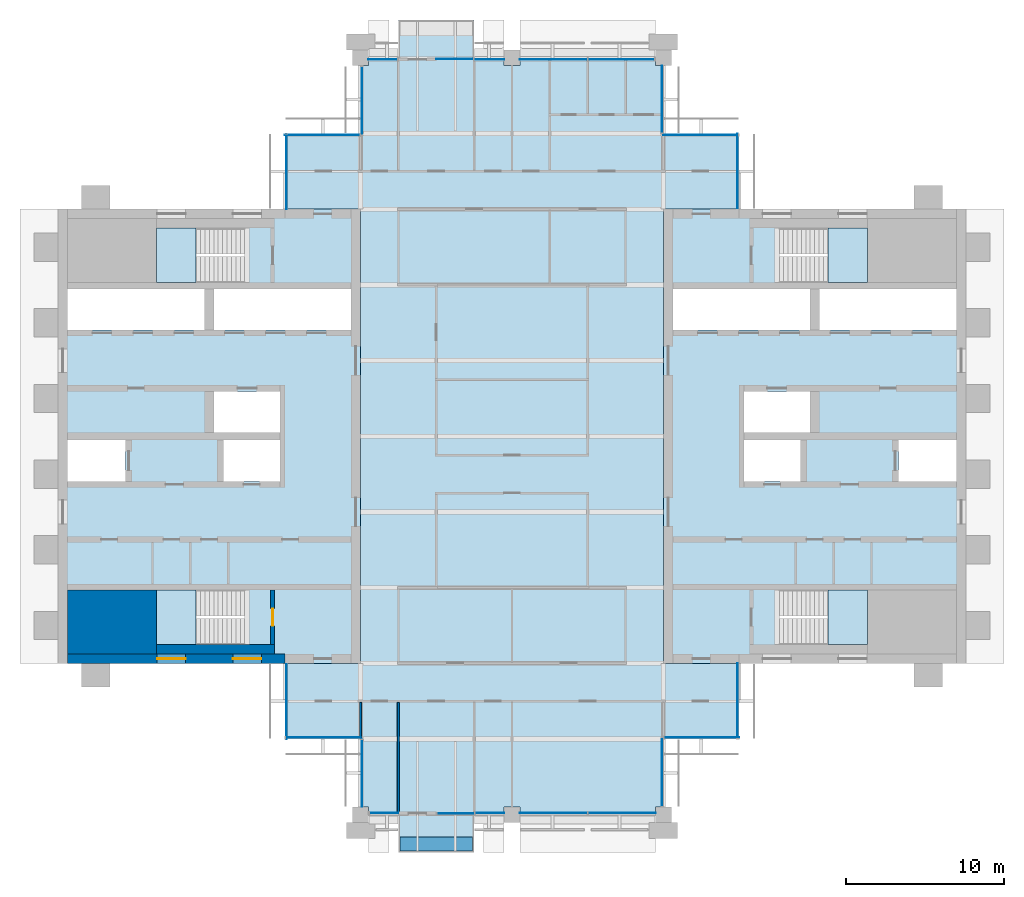
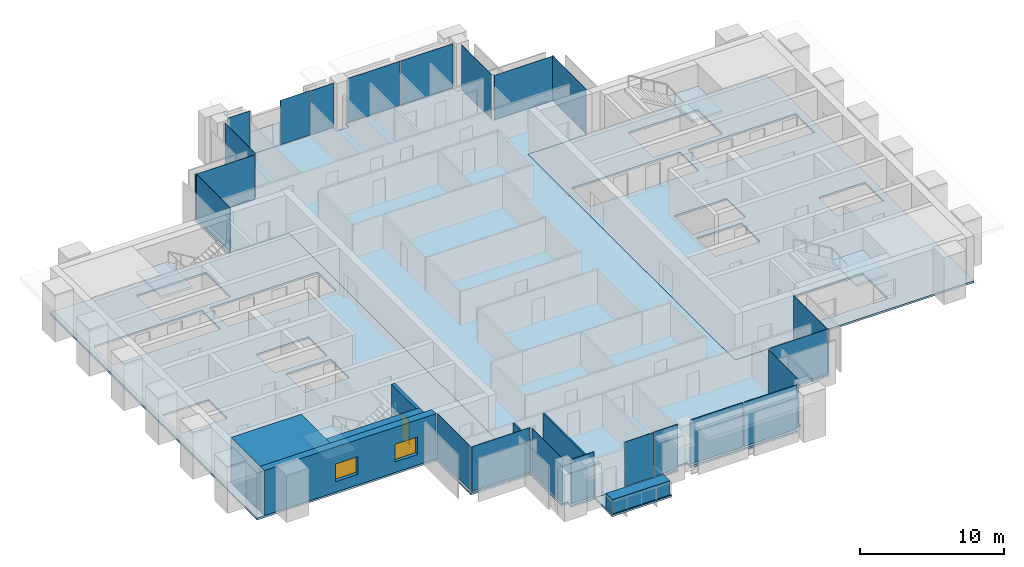
# One storey, part 7 of 13: 22 plates, 9 slabs, 7 walls, 2 windows, 1 door, 3 openings, 22 elements without a shape of their own.
"""IFC4 building model written with IfcOpenShell, lengths in metres."""

from ifc_helpers import new_model, si_unit, direction, frame, frame_2d, origin, origin_2d, place, context, subcontext, project, spatial, polyline, rectangle, outline, extrude, material, layer, layer_set, type_object, element, fill, aggregate, save


model = new_model("IFC4")

# Units and contexts
model_context = context("Model", 3, precision=1e-05, world=origin(), true_north=direction((0.0, 1.0)))
body_context = subcontext(model_context, "Body", "Model", "MODEL_VIEW")
ifc_project = project(units=[si_unit("LENGTHUNIT", "METRE"), si_unit("AREAUNIT", "SQUARE_METRE"), si_unit("VOLUMEUNIT", "CUBIC_METRE"), si_unit("PLANEANGLEUNIT", "RADIAN"), si_unit("MASSUNIT", "GRAM", prefix="KILO")], contexts=[model_context])

# Site, building, storey
site_placement = place(None, origin())
site = spatial("IfcSite", under=ifc_project, at=site_placement, CompositionType="ELEMENT")
building_placement = place(site_placement, origin())
building = spatial("IfcBuilding", under=site, at=building_placement, Name="Baori Bourse Tower", CompositionType="ELEMENT")
storey_placement = place(building_placement, frame((0.0, 0.0, 314.300048828125)))
storey = spatial("IfcBuildingStorey", under=building, at=storey_placement, Name="L69", CompositionType="ELEMENT", Elevation=314.300048828125)

# Slabs
ifc_material_1 = material(Name="Concrete f'c 40 MPa", Category="concrete")
ifc_layer_1 = layer(ifc_material_1, 0.159912109375)
ifc_layer_set_1 = layer_set([ifc_layer_1], Name="BL2 Balcony slab 160")
slab_type_1 = type_object("IfcSlabType", Name="BL2 Balcony slab 160", PredefinedType="FLOOR", material=ifc_layer_set_1)
slab_1_placement = place(storey_placement, frame((0.0, 0.0, -0.16015625)))
element("IfcSlab", 1, at=slab_1_placement, inside=storey, type_object=slab_type_1, Name="Balcony slab L69 S", PredefinedType="FLOOR", context=body_context, shape_type="SweptSolid", body=[
    extrude(outline(polyline([(21.60009765625, 0.0), (21.60009765625, -2.39990234375), (26.39990234375, -2.39990234375), (26.39990234375, 0.0), (21.60009765625, 0.0)])), origin(), (0.0, 0.0, 1.0), 0.16015625),
])
slab_2_placement = place(storey_placement, frame((0.0, 0.0, -0.16015625)))
element("IfcSlab", 2, at=slab_2_placement, inside=storey, type_object=slab_type_1, Name="Balcony slab L69 N", PredefinedType="FLOOR", context=body_context, shape_type="SweptSolid", body=[
    extrude(outline(polyline([(21.60009765625, 48.0), (26.39990234375, 48.0), (26.39990234375, 50.39990234375), (21.60009765625, 50.39990234375), (21.60009765625, 48.0)])), origin(), (0.0, 0.0, 1.0), 0.16015625),
])

# Curtain wall, plate
ifc_material_2 = material(Name="Pale anodised aluminium", Category="aluminium")
curtain_wall_type_1 = type_object("IfcCurtainWallType", Name="CW2 Curtain wall", PredefinedType="NOTDEFINED", material=ifc_material_2)
curtain_wall_1_placement = place(storey_placement, origin())
curtain_wall_1 = element("IfcCurtainWall", 3, at=curtain_wall_1_placement, inside=storey, type_object=curtain_wall_type_1, Name="Curtain wall CW2 L69 1", PredefinedType="NOTDEFINED")
ifc_material_3 = material(Name="Clear glass", Category="glass")
ifc_layer_2 = layer(ifc_material_3, 0.030029296875)
ifc_layer_set_2 = layer_set([ifc_layer_2], Name="CW2 Curtain wall panel")
plate_type_1 = type_object("IfcPlateType", Name="CW2 Curtain wall panel", PredefinedType="CURTAIN_PANEL", material=ifc_layer_set_2)
plate_1_placement = place(storey_placement, frame((43.110107421875, 40.827392578125, 0.06982421875), z_axis=(0.0, 0.0, 1.0), x_axis=(0.0, 1.0, 0.0)))
plate_1 = element("IfcPlate", 4, at=plate_1_placement, type_object=plate_type_1, Name="Curtain wall CW2 panel", PredefinedType="CURTAIN_PANEL", context=body_context, shape_type="SweptSolid", body=[
    extrude(rectangle(XDim=4.7451171875, YDim=0.030029296875, at=origin_2d()), origin(), (0.0, 0.0, 1.0), 3.77001953125),
])
aggregate(curtain_wall_1, [plate_1])

curtain_wall_2_placement = place(storey_placement, origin())
curtain_wall_2 = element("IfcCurtainWall", 5, at=curtain_wall_2_placement, inside=storey, type_object=curtain_wall_type_1, Name="Curtain wall CW2 L69 2", PredefinedType="NOTDEFINED")
plate_2_placement = place(storey_placement, frame((40.7724609375, 43.110107421875, 0.06982421875), z_axis=(0.0, 0.0, 1.0), x_axis=(-1.0, 0.0, 0.0)))
plate_2 = element("IfcPlate", 6, at=plate_2_placement, type_object=plate_type_1, Name="Curtain wall CW2 panel", PredefinedType="CURTAIN_PANEL", context=body_context, shape_type="SweptSolid", body=[
    extrude(rectangle(XDim=4.7451171875, YDim=0.030029296875, at=origin_2d()), origin(), (0.0, 0.0, 1.0), 3.77001953125),
])
aggregate(curtain_wall_2, [plate_2])

curtain_wall_3_placement = place(storey_placement, origin())
curtain_wall_3 = element("IfcCurtainWall", 7, at=curtain_wall_3_placement, inside=storey, type_object=curtain_wall_type_1, Name="Curtain wall CW2 L69 3", PredefinedType="NOTDEFINED")
plate_3_placement = place(storey_placement, frame((38.31005859375, 45.37744140625, 0.06982421875), z_axis=(0.0, 0.0, 1.0), x_axis=(0.0, 1.0, 0.0)))
plate_3 = element("IfcPlate", 8, at=plate_3_placement, type_object=plate_type_1, Name="Curtain wall CW2 panel", PredefinedType="CURTAIN_PANEL", context=body_context, shape_type="SweptSolid", body=[
    extrude(rectangle(XDim=4.2451171875, YDim=0.030029296875, at=origin_2d()), origin(), (0.0, 0.0, 1.0), 3.77001953125),
])
aggregate(curtain_wall_3, [plate_3])

curtain_wall_4_placement = place(storey_placement, origin())
curtain_wall_4 = element("IfcCurtainWall", 9, at=curtain_wall_4_placement, inside=storey, type_object=curtain_wall_type_1, Name="Curtain wall CW2 L69 7", PredefinedType="NOTDEFINED")
plate_4_placement = place(storey_placement, frame((19.2900390625, 45.322509765625, 0.06982421875), z_axis=(0.0, 0.0, 1.0), x_axis=(0.0, -1.0, 0.0)))
plate_4 = element("IfcPlate", 10, at=plate_4_placement, type_object=plate_type_1, Name="Curtain wall CW2 panel", PredefinedType="CURTAIN_PANEL", context=body_context, shape_type="SweptSolid", body=[
    extrude(rectangle(XDim=4.2451171875, YDim=0.030029296875, at=origin_2d()), origin(), (0.0, 0.0, 1.0), 3.77001953125),
])
aggregate(curtain_wall_4, [plate_4])

curtain_wall_5_placement = place(storey_placement, origin())
curtain_wall_5 = element("IfcCurtainWall", 11, at=curtain_wall_5_placement, inside=storey, type_object=curtain_wall_type_1, Name="Curtain wall CW2 L69 8", PredefinedType="NOTDEFINED")
plate_5_placement = place(storey_placement, frame((16.7724609375, 43.110107421875, 0.06982421875), z_axis=(0.0, 0.0, 1.0), x_axis=(-1.0, 0.0, 0.0)))
plate_5 = element("IfcPlate", 12, at=plate_5_placement, type_object=plate_type_1, Name="Curtain wall CW2 panel", PredefinedType="CURTAIN_PANEL", context=body_context, shape_type="SweptSolid", body=[
    extrude(rectangle(XDim=4.7451171875, YDim=0.030029296875, at=origin_2d()), origin(), (0.0, 0.0, 1.0), 3.77001953125),
])
aggregate(curtain_wall_5, [plate_5])

curtain_wall_6_placement = place(storey_placement, origin())
curtain_wall_6 = element("IfcCurtainWall", 13, at=curtain_wall_6_placement, inside=storey, type_object=curtain_wall_type_1, Name="Curtain wall CW2 L69 9", PredefinedType="NOTDEFINED")
plate_6_placement = place(storey_placement, frame((14.489990234375, 40.7724609375, 0.06982421875), z_axis=(0.0, 0.0, 1.0), x_axis=(0.0, -1.0, 0.0)))
plate_6 = element("IfcPlate", 14, at=plate_6_placement, type_object=plate_type_1, Name="Curtain wall CW2 panel", PredefinedType="CURTAIN_PANEL", context=body_context, shape_type="SweptSolid", body=[
    extrude(rectangle(XDim=4.7451171875, YDim=0.030029296875, at=origin_2d()), origin(), (0.0, 0.0, 1.0), 3.77001953125),
])
aggregate(curtain_wall_6, [plate_6])

curtain_wall_7_placement = place(storey_placement, origin())
curtain_wall_7 = element("IfcCurtainWall", 15, at=curtain_wall_7_placement, inside=storey, type_object=curtain_wall_type_1, Name="Curtain wall CW2 L69 10", PredefinedType="NOTDEFINED")
plate_7_placement = place(storey_placement, frame((14.489990234375, 7.172607421875, 0.06982421875), z_axis=(0.0, 0.0, 1.0), x_axis=(0.0, -1.0, 0.0)))
plate_7 = element("IfcPlate", 16, at=plate_7_placement, type_object=plate_type_1, Name="Curtain wall CW2 panel", PredefinedType="CURTAIN_PANEL", context=body_context, shape_type="SweptSolid", body=[
    extrude(rectangle(XDim=4.7451171875, YDim=0.030029296875, at=origin_2d()), origin(), (0.0, 0.0, 1.0), 3.77001953125),
])
aggregate(curtain_wall_7, [plate_7])

curtain_wall_8_placement = place(storey_placement, origin())
curtain_wall_8 = element("IfcCurtainWall", 17, at=curtain_wall_8_placement, inside=storey, type_object=curtain_wall_type_1, Name="Curtain wall CW2 L69 11", PredefinedType="NOTDEFINED")
plate_8_placement = place(storey_placement, frame((16.827392578125, 4.889892578125, 0.06982421875), z_axis=(0.0, 0.0, 1.0), x_axis=(1.0, 0.0, 0.0)))
plate_8 = element("IfcPlate", 18, at=plate_8_placement, type_object=plate_type_1, Name="Curtain wall CW2 panel", PredefinedType="CURTAIN_PANEL", context=body_context, shape_type="SweptSolid", body=[
    extrude(rectangle(XDim=4.7451171875, YDim=0.030029296875, at=origin_2d()), origin(), (0.0, 0.0, 1.0), 3.77001953125),
])
aggregate(curtain_wall_8, [plate_8])

curtain_wall_9_placement = place(storey_placement, origin())
curtain_wall_9 = element("IfcCurtainWall", 19, at=curtain_wall_9_placement, inside=storey, type_object=curtain_wall_type_1, Name="Curtain wall CW2 L69 12", PredefinedType="NOTDEFINED")
plate_9_placement = place(storey_placement, frame((19.2900390625, 2.62255859375, 0.06982421875), z_axis=(0.0, 0.0, 1.0), x_axis=(0.0, -1.0, 0.0)))
plate_9 = element("IfcPlate", 20, at=plate_9_placement, type_object=plate_type_1, Name="Curtain wall CW2 panel", PredefinedType="CURTAIN_PANEL", context=body_context, shape_type="SweptSolid", body=[
    extrude(rectangle(XDim=4.2451171875, YDim=0.030029296875, at=origin_2d()), origin(), (0.0, 0.0, 1.0), 3.77001953125),
])
aggregate(curtain_wall_9, [plate_9])

curtain_wall_10_placement = place(storey_placement, origin())
curtain_wall_10 = element("IfcCurtainWall", 21, at=curtain_wall_10_placement, inside=storey, type_object=curtain_wall_type_1, Name="Curtain wall CW2 L69 16", PredefinedType="NOTDEFINED")
plate_10_placement = place(storey_placement, frame((38.31005859375, 2.677490234375, 0.06982421875), z_axis=(0.0, 0.0, 1.0), x_axis=(0.0, 1.0, 0.0)))
plate_10 = element("IfcPlate", 22, at=plate_10_placement, type_object=plate_type_1, Name="Curtain wall CW2 panel", PredefinedType="CURTAIN_PANEL", context=body_context, shape_type="SweptSolid", body=[
    extrude(rectangle(XDim=4.2451171875, YDim=0.030029296875, at=origin_2d()), origin(), (0.0, 0.0, 1.0), 3.77001953125),
])
aggregate(curtain_wall_10, [plate_10])

curtain_wall_11_placement = place(storey_placement, origin())
curtain_wall_11 = element("IfcCurtainWall", 23, at=curtain_wall_11_placement, inside=storey, type_object=curtain_wall_type_1, Name="Curtain wall CW2 L69 17", PredefinedType="NOTDEFINED")
plate_11_placement = place(storey_placement, frame((40.827392578125, 4.889892578125, 0.06982421875), z_axis=(0.0, 0.0, 1.0), x_axis=(1.0, 0.0, 0.0)))
plate_11 = element("IfcPlate", 24, at=plate_11_placement, type_object=plate_type_1, Name="Curtain wall CW2 panel", PredefinedType="CURTAIN_PANEL", context=body_context, shape_type="SweptSolid", body=[
    extrude(rectangle(XDim=4.7451171875, YDim=0.030029296875, at=origin_2d()), origin(), (0.0, 0.0, 1.0), 3.77001953125),
])
aggregate(curtain_wall_11, [plate_11])

curtain_wall_12_placement = place(storey_placement, origin())
curtain_wall_12 = element("IfcCurtainWall", 25, at=curtain_wall_12_placement, inside=storey, type_object=curtain_wall_type_1, Name="Curtain wall CW2 L69 18", PredefinedType="NOTDEFINED")
plate_12_placement = place(storey_placement, frame((43.110107421875, 7.2275390625, 0.06982421875), z_axis=(0.0, 0.0, 1.0), x_axis=(0.0, 1.0, 0.0)))
plate_12 = element("IfcPlate", 26, at=plate_12_placement, type_object=plate_type_1, Name="Curtain wall CW2 panel", PredefinedType="CURTAIN_PANEL", context=body_context, shape_type="SweptSolid", body=[
    extrude(rectangle(XDim=4.7451171875, YDim=0.030029296875, at=origin_2d()), origin(), (0.0, 0.0, 1.0), 3.77001953125),
])
aggregate(curtain_wall_12, [plate_12])

# Curtain wall, plates
ifc_material_4 = material(Name="Pale anodised aluminium", Category="aluminium")
curtain_wall_type_2 = type_object("IfcCurtainWallType", Name="CW5 Curtain wall", PredefinedType="NOTDEFINED", material=ifc_material_4)
curtain_wall_13_placement = place(storey_placement, origin())
curtain_wall_13 = element("IfcCurtainWall", 27, at=curtain_wall_13_placement, inside=storey, type_object=curtain_wall_type_2, Name="Curtain wall CW5 L69 4", PredefinedType="NOTDEFINED")
ifc_material_5 = material(Name="Clear glass", Category="glass")
ifc_layer_3 = layer(ifc_material_5, 0.035888671875)
ifc_layer_set_3 = layer_set([ifc_layer_3], Name="CW5 Curtain wall panel")
plate_type_2 = type_object("IfcPlateType", Name="CW5 Curtain wall panel", PredefinedType="CURTAIN_PANEL", material=ifc_layer_set_3)
plate_13_placement = place(storey_placement, frame((35.733642578125, 47.889892578125, 0.0849609375), z_axis=(0.0, 0.0, 1.0), x_axis=(-1.0, 0.0, 0.0)))
plate_13 = element("IfcPlate", 28, at=plate_13_placement, type_object=plate_type_2, Name="Curtain wall CW5 panel", PredefinedType="CURTAIN_PANEL", context=body_context, shape_type="SweptSolid", body=[
    extrude(rectangle(XDim=4.202392578125, YDim=0.035888671875, at=origin_2d()), origin(), (0.0, 0.0, 1.0), 3.7548828125),
])
plate_14_placement = place(storey_placement, frame((31.433837890625, 47.889892578125, 0.0849609375), z_axis=(0.0, 0.0, 1.0), x_axis=(-1.0, 0.0, 0.0)))
plate_14 = element("IfcPlate", 29, at=plate_14_placement, type_object=plate_type_2, Name="Curtain wall CW5 panel", PredefinedType="CURTAIN_PANEL", context=body_context, shape_type="SweptSolid", body=[
    extrude(rectangle(XDim=4.267578125, YDim=0.035888671875, at=origin_2d()), origin(), (0.0, 0.0, 1.0), 3.7548828125),
])
plate_15_placement = place(storey_placement, frame((27.35009765625, 47.889892578125, 0.0849609375), z_axis=(0.0, 0.0, 1.0), x_axis=(-1.0, 0.0, 0.0)))
plate_15 = element("IfcPlate", 30, at=plate_15_placement, type_object=plate_type_2, Name="Curtain wall CW5 panel", PredefinedType="CURTAIN_PANEL", context=body_context, shape_type="SweptSolid", body=[
    extrude(rectangle(XDim=1.89990234375, YDim=0.035888671875, at=origin_2d()), origin(), (0.0, 0.0, 1.0), 3.7548828125),
])
aggregate(curtain_wall_13, [plate_13, plate_14, plate_15])

# Curtain wall, plate
curtain_wall_14_placement = place(storey_placement, origin())
curtain_wall_14 = element("IfcCurtainWall", 31, at=curtain_wall_14_placement, inside=storey, type_object=curtain_wall_type_2, Name="Curtain wall CW5 L69 6", PredefinedType="NOTDEFINED")
plate_16_placement = place(storey_placement, frame((20.617431640625, 47.889892578125, 0.0849609375), z_axis=(0.0, 0.0, 1.0), x_axis=(-1.0, 0.0, 0.0)))
plate_16 = element("IfcPlate", 32, at=plate_16_placement, type_object=plate_type_2, Name="Curtain wall CW5 panel", PredefinedType="CURTAIN_PANEL", context=body_context, shape_type="SweptSolid", body=[
    extrude(rectangle(XDim=1.8349609375, YDim=0.035888671875, at=origin_2d()), origin(), (0.0, 0.0, 1.0), 3.7548828125),
])
aggregate(curtain_wall_14, [plate_16])

curtain_wall_15_placement = place(storey_placement, origin())
curtain_wall_15 = element("IfcCurtainWall", 33, at=curtain_wall_15_placement, inside=storey, type_object=curtain_wall_type_2, Name="Curtain wall CW5 L69 13", PredefinedType="NOTDEFINED")
plate_17_placement = place(storey_placement, frame((20.6826171875, 0.110107421875, 0.0849609375), z_axis=(0.0, 0.0, 1.0), x_axis=(1.0, 0.0, 0.0)))
plate_17 = element("IfcPlate", 34, at=plate_17_placement, type_object=plate_type_2, Name="Curtain wall CW5 panel", PredefinedType="CURTAIN_PANEL", context=body_context, shape_type="SweptSolid", body=[
    extrude(rectangle(XDim=1.8349609375, YDim=0.035888671875, at=origin_2d()), origin(), (0.0, 0.0, 1.0), 3.7548828125),
])
aggregate(curtain_wall_15, [plate_17])

# Curtain wall, plates
curtain_wall_16_placement = place(storey_placement, origin())
curtain_wall_16 = element("IfcCurtainWall", 35, at=curtain_wall_16_placement, inside=storey, type_object=curtain_wall_type_2, Name="Curtain wall CW5 L69 15", PredefinedType="NOTDEFINED")
plate_18_placement = place(storey_placement, frame((27.382568359375, 0.110107421875, 0.0849609375), z_axis=(0.0, 0.0, 1.0), x_axis=(1.0, 0.0, 0.0)))
plate_18 = element("IfcPlate", 36, at=plate_18_placement, type_object=plate_type_2, Name="Curtain wall CW5 panel", PredefinedType="CURTAIN_PANEL", context=body_context, shape_type="SweptSolid", body=[
    extrude(rectangle(XDim=1.8349609375, YDim=0.035888671875, at=origin_2d()), origin(), (0.0, 0.0, 1.0), 3.7548828125),
])
plate_19_placement = place(storey_placement, frame((31.433837890625, 0.110107421875, 0.0849609375), z_axis=(0.0, 0.0, 1.0), x_axis=(1.0, 0.0, 0.0)))
plate_19 = element("IfcPlate", 37, at=plate_19_placement, type_object=plate_type_2, Name="Curtain wall CW5 panel", PredefinedType="CURTAIN_PANEL", context=body_context, shape_type="SweptSolid", body=[
    extrude(rectangle(XDim=4.267578125, YDim=0.035888671875, at=origin_2d()), origin(), (0.0, 0.0, 1.0), 3.7548828125),
])
plate_20_placement = place(storey_placement, frame((35.766357421875, 0.110107421875, 0.0849609375), z_axis=(0.0, 0.0, 1.0), x_axis=(1.0, 0.0, 0.0)))
plate_20 = element("IfcPlate", 38, at=plate_20_placement, type_object=plate_type_2, Name="Curtain wall CW5 panel", PredefinedType="CURTAIN_PANEL", context=body_context, shape_type="SweptSolid", body=[
    extrude(rectangle(XDim=4.267578125, YDim=0.035888671875, at=origin_2d()), origin(), (0.0, 0.0, 1.0), 3.7548828125),
])
aggregate(curtain_wall_16, [plate_18, plate_19, plate_20])

# Curtain wall, plate
ifc_material_6 = material(Name="Pale anodised aluminium", Category="aluminium")
curtain_wall_type_3 = type_object("IfcCurtainWallType", Name="CW6 Curtain wall", PredefinedType="NOTDEFINED", material=ifc_material_6)
curtain_wall_17_placement = place(storey_placement, origin())
curtain_wall_17 = element("IfcCurtainWall", 39, at=curtain_wall_17_placement, inside=storey, type_object=curtain_wall_type_3, Name="Curtain wall CW6 L69 5", PredefinedType="NOTDEFINED")
ifc_material_7 = material(Name="Clear glass", Category="glass")
ifc_layer_4 = layer(ifc_material_7, 0.028076171875)
ifc_layer_set_4 = layer_set([ifc_layer_4], Name="CW6 Curtain wall panel")
plate_type_3 = type_object("IfcPlateType", Name="CW6 Curtain wall panel", PredefinedType="CURTAIN_PANEL", material=ifc_layer_set_4)
plate_21_placement = place(storey_placement, frame((25.175048828125, 47.925048828125, 0.06494140625), z_axis=(0.0, 0.0, 1.0), x_axis=(-1.0, 0.0, 0.0)))
plate_21 = element("IfcPlate", 40, at=plate_21_placement, type_object=plate_type_3, Name="Curtain wall CW6 panel", PredefinedType="CURTAIN_PANEL", context=body_context, shape_type="SweptSolid", body=[
    extrude(rectangle(XDim=2.35009765625, YDim=0.028076171875, at=origin_2d()), origin(), (0.0, 0.0, 1.0), 3.77490234375),
])
aggregate(curtain_wall_17, [plate_21])

curtain_wall_18_placement = place(storey_placement, origin())
curtain_wall_18 = element("IfcCurtainWall", 41, at=curtain_wall_18_placement, inside=storey, type_object=curtain_wall_type_3, Name="Curtain wall CW6 L69 14", PredefinedType="NOTDEFINED")
plate_22_placement = place(storey_placement, frame((25.22509765625, 0.074951171875, 0.06494140625), z_axis=(0.0, 0.0, 1.0), x_axis=(1.0, 0.0, 0.0)))
plate_22 = element("IfcPlate", 42, at=plate_22_placement, type_object=plate_type_3, Name="Curtain wall CW6 panel", PredefinedType="CURTAIN_PANEL", context=body_context, shape_type="SweptSolid", body=[
    extrude(rectangle(XDim=2.35009765625, YDim=0.028076171875, at=origin_2d()), origin(), (0.0, 0.0, 1.0), 3.77490234375),
])
aggregate(curtain_wall_18, [plate_22])

# Slabs
ifc_material_8 = material(Name="Concrete f'c 50 MPa", Category="concrete")
ifc_layer_5 = layer(ifc_material_8, 0.159912109375)
ifc_layer_set_5 = layer_set([ifc_layer_5], Name="Core slab 160")
slab_type_2 = type_object("IfcSlabType", Name="Core slab 160", PredefinedType="FLOOR", material=ifc_layer_set_5)
slab_3_placement = place(storey_placement, frame((0.0, 0.0, -0.16015625)))
element("IfcSlab", 43, at=slab_3_placement, inside=storey, type_object=slab_type_2, Name="Core floor slab W01", PredefinedType="FLOOR", context=body_context, shape_type="SweptSolid", body=[
    extrude(outline(polyline([(19.199951171875, 38.39990234375), (0.0, 38.39990234375), (0.0, 9.60009765625), (19.199951171875, 9.60009765625), (19.199951171875, 38.39990234375)]), holes=[polyline([(9.89990234375, 33.35009765625), (18.60009765625, 33.35009765625), (18.60009765625, 30.75), (9.89990234375, 30.75), (9.89990234375, 33.35009765625)]), polyline([(10.5, 21.14990234375), (10.5, 23.75), (14.10009765625, 23.75), (14.10009765625, 21.14990234375), (10.5, 21.14990234375)]), polyline([(14.10009765625, 24.25), (9.89990234375, 24.25), (9.89990234375, 26.85009765625), (14.10009765625, 26.85009765625), (14.10009765625, 24.25)]), polyline([(6.25, 14.25), (11.84912109375, 14.25), (11.84912109375, 10.800048828125), (6.25, 10.800048828125), (6.25, 14.25)]), polyline([(11.84912109375, 37.199951171875), (11.84912109375, 33.75), (6.25, 33.75), (6.25, 37.199951171875), (11.84912109375, 37.199951171875)]), polyline([(0.60009765625, 30.75), (0.60009765625, 33.35009765625), (9.300048828125, 33.35009765625), (9.300048828125, 30.75), (0.60009765625, 30.75)]), polyline([(4.300048828125, 23.75), (4.300048828125, 21.14990234375), (0.60009765625, 21.14990234375), (0.60009765625, 23.75), (4.300048828125, 23.75)])]), origin(), (0.0, 0.0, 1.0), 0.16015625),
])
slab_4_placement = place(storey_placement, frame((0.0, 0.0, -0.16015625)))
element("IfcSlab", 44, at=slab_4_placement, inside=storey, type_object=slab_type_2, Name="Core floor slab E01", PredefinedType="FLOOR", context=body_context, shape_type="SweptSolid", body=[
    extrude(outline(polyline([(57.60009765625, 9.60009765625), (57.60009765625, 38.39990234375), (38.39990234375, 38.39990234375), (38.39990234375, 9.60009765625), (57.60009765625, 9.60009765625)]), holes=[polyline([(48.300048828125, 33.35009765625), (57.0, 33.35009765625), (57.0, 30.75), (48.300048828125, 30.75), (48.300048828125, 33.35009765625)]), polyline([(57.0, 21.14990234375), (53.300048828125, 21.14990234375), (53.300048828125, 23.75), (57.0, 23.75), (57.0, 21.14990234375)]), polyline([(45.750732421875, 14.25), (51.35009765625, 14.25), (51.35009765625, 10.800048828125), (45.750732421875, 10.800048828125), (45.750732421875, 14.25)]), polyline([(51.35009765625, 37.199951171875), (51.35009765625, 33.75), (45.750732421875, 33.75), (45.750732421875, 37.199951171875), (51.35009765625, 37.199951171875)]), polyline([(43.5, 24.25), (43.5, 26.85009765625), (47.699951171875, 26.85009765625), (47.699951171875, 24.25), (43.5, 24.25)]), polyline([(47.699951171875, 33.35009765625), (47.699951171875, 30.75), (39.0, 30.75), (39.0, 33.35009765625), (47.699951171875, 33.35009765625)]), polyline([(43.5, 23.75), (47.10009765625, 23.75), (47.10009765625, 21.14990234375), (43.5, 21.14990234375), (43.5, 23.75)])]), origin(), (0.0, 0.0, 1.0), 0.16015625),
])

# Stair, slab
ifc_material_9 = material(Name="Concrete f'c 50 MPa", Category="concrete")
stair_type = type_object("IfcStairType", Name="Core stair", PredefinedType="HALF_TURN_STAIR", material=ifc_material_9)
stair_1_placement = place(storey_placement, origin())
stair_1 = element("IfcStair", 45, at=stair_1_placement, inside=storey, type_object=stair_type, Name="L69 Stair WA", PredefinedType="HALF_TURN_STAIR")
ifc_material_10 = material(Name="Concrete f'c 50 MPa", Category="concrete")
slab_type_3 = type_object("IfcSlabType", Name="Core stair landing", PredefinedType="LANDING", material=ifc_material_10)
slab_5_placement = place(storey_placement, frame((0.0, 0.0, 1.800048828125)))
slab_5 = element("IfcSlab", 46, at=slab_5_placement, type_object=slab_type_3, Name="ST1 landing 1", PredefinedType="LANDING", context=body_context, shape_type="SweptSolid", body=[
    extrude(outline(polyline([(8.77001953125, 14.25), (6.25, 14.25), (6.25, 10.800048828125), (8.77001953125, 10.800048828125), (8.77001953125, 14.25)])), origin(), (0.0, 0.0, 1.0), 0.199951171875),
])
aggregate(stair_1, [slab_5])

stair_2_placement = place(storey_placement, origin())
stair_2 = element("IfcStair", 47, at=stair_2_placement, inside=storey, type_object=stair_type, Name="L69 Stair WB", PredefinedType="HALF_TURN_STAIR")
slab_6_placement = place(storey_placement, frame((0.0, 0.0, 1.800048828125)))
slab_6 = element("IfcSlab", 48, at=slab_6_placement, type_object=slab_type_3, Name="ST2 landing 1", PredefinedType="LANDING", context=body_context, shape_type="SweptSolid", body=[
    extrude(outline(polyline([(8.77001953125, 37.199951171875), (6.25, 37.199951171875), (6.25, 33.75), (8.77001953125, 33.75), (8.77001953125, 37.199951171875)])), origin(), (0.0, 0.0, 1.0), 0.199951171875),
])
aggregate(stair_2, [slab_6])

stair_3_placement = place(storey_placement, origin())
stair_3 = element("IfcStair", 49, at=stair_3_placement, inside=storey, type_object=stair_type, Name="L69 Stair EA", PredefinedType="HALF_TURN_STAIR")
slab_7_placement = place(storey_placement, frame((0.0, 0.0, 1.800048828125)))
slab_7 = element("IfcSlab", 50, at=slab_7_placement, type_object=slab_type_3, Name="ST3 landing 1", PredefinedType="LANDING", context=body_context, shape_type="SweptSolid", body=[
    extrude(outline(polyline([(48.830078125, 10.800048828125), (51.35009765625, 10.800048828125), (51.35009765625, 14.25), (48.830078125, 14.25), (48.830078125, 10.800048828125)])), origin(), (0.0, 0.0, 1.0), 0.199951171875),
])
aggregate(stair_3, [slab_7])

stair_4_placement = place(storey_placement, origin())
stair_4 = element("IfcStair", 51, at=stair_4_placement, inside=storey, type_object=stair_type, Name="L69 Stair EB", PredefinedType="HALF_TURN_STAIR")
slab_8_placement = place(storey_placement, frame((0.0, 0.0, 1.800048828125)))
slab_8 = element("IfcSlab", 52, at=slab_8_placement, type_object=slab_type_3, Name="ST4 landing 1", PredefinedType="LANDING", context=body_context, shape_type="SweptSolid", body=[
    extrude(outline(polyline([(48.830078125, 33.75), (51.35009765625, 33.75), (51.35009765625, 37.199951171875), (48.830078125, 37.199951171875), (48.830078125, 33.75)])), origin(), (0.0, 0.0, 1.0), 0.199951171875),
])
aggregate(stair_4, [slab_8])

# Slab
ifc_material_11 = material(Name="Concrete f'c 40 MPa", Category="concrete")
ifc_layer_6 = layer(ifc_material_11, 0.159912109375)
ifc_layer_set_6 = layer_set([ifc_layer_6], Name="Floor slab 160")
slab_type_4 = type_object("IfcSlabType", Name="Floor slab 160", PredefinedType="FLOOR", material=ifc_layer_set_6)
slab_9_placement = place(storey_placement, frame((0.0, 0.0, -0.16015625)))
element("IfcSlab", 53, at=slab_9_placement, inside=storey, type_object=slab_type_4, Name="Floor slab L69", PredefinedType="FLOOR", context=body_context, shape_type="SweptSolid", body=[
    extrude(outline(polyline([(19.199951171875, 4.800048828125), (14.39990234375, 4.800048828125), (14.39990234375, 9.60009765625), (19.199951171875, 9.60009765625), (19.199951171875, 38.39990234375), (14.39990234375, 38.39990234375), (14.39990234375, 43.199951171875), (19.199951171875, 43.199951171875), (19.199951171875, 47.5), (19.699951171875, 47.5), (19.699951171875, 48.0), (28.300048828125, 48.0), (28.300048828125, 47.5), (29.300048828125, 47.5), (29.300048828125, 48.0), (37.89990234375, 48.0), (37.89990234375, 47.5), (38.39990234375, 47.5), (38.39990234375, 43.199951171875), (43.199951171875, 43.199951171875), (43.199951171875, 38.39990234375), (38.39990234375, 38.39990234375), (38.39990234375, 9.60009765625), (43.199951171875, 9.60009765625), (43.199951171875, 4.800048828125), (38.39990234375, 4.800048828125), (38.39990234375, 0.5), (37.89990234375, 0.5), (37.89990234375, 0.0), (29.300048828125, 0.0), (29.300048828125, 0.5), (28.300048828125, 0.5), (28.300048828125, 0.0), (19.699951171875, 0.0), (19.699951171875, 0.5), (19.199951171875, 0.5), (19.199951171875, 4.800048828125)])), origin(), (0.0, 0.0, 1.0), 0.16015625),
])

# Wall
ifc_material_12 = material(Name="Concrete f'c 40 MPa", Category="concrete")
wall_type_1 = type_object("IfcWallType", Name="Core corner block f'c 40", PredefinedType="SHEAR", material=ifc_material_12)
wall_1_placement = place(storey_placement, frame((0.60009765625, 12.22509765625, 0.0), z_axis=(0.0, 0.0, 1.0), x_axis=(1.0, 0.0, 0.0)))
element("IfcWall", 54, at=wall_1_placement, inside=storey, type_object=wall_type_1, Name="Core wall W05", PredefinedType="SHEAR", context=body_context, shape_type="SweptSolid", body=[
    extrude(rectangle(XDim=5.64990234375, YDim=4.050048828125, at=frame_2d((2.824951171875, 0.0))), origin(), (0.0, 0.0, 1.0), 3.83984375),
])

# Wall, openings, windows
ifc_material_13 = material(Name="Concrete f'c 40 MPa", Category="concrete")
ifc_layer_7 = layer(ifc_material_13, 0.60009765625)
ifc_layer_set_7 = layer_set([ifc_layer_7], Name="Core wall 600 f'c 40")
wall_type_2 = type_object("IfcWallType", Name="Core wall 600 f'c 40", PredefinedType="SHEAR", material=ifc_layer_set_7)
wall_2_placement = place(storey_placement, frame((14.39990234375, 9.89990234375, 0.0), z_axis=(0.0, 0.0, 1.0), x_axis=(-1.0, 0.0, 0.0)))
wall_2 = element("IfcWall", 55, at=wall_2_placement, inside=storey, type_object=wall_type_2, Name="Core wall W02", PredefinedType="SHEAR", context=body_context, shape_type="SweptSolid", body=[
    extrude(rectangle(XDim=13.7998046875, YDim=0.60009765625, at=frame_2d((6.89990234375, 0.0))), origin(), (0.0, 0.0, 1.0), 3.83984375),
])
opening_1_placement = place(wall_2_placement, frame((6.300048828125, 0.0, 0.89990234375)))
opening_1 = element("IfcOpeningElement", 56, at=opening_1_placement, cuts=wall_2, Name="Opening L69-KW103", PredefinedType="OPENING", context=body_context, shape_type="SweptSolid", body=[
    extrude(rectangle(XDim=1.800048828125, YDim=1.5, at=frame_2d((0.89990234375, 0.75))), frame((0.0, 0.31005859375, 0.0), z_axis=(0.0, -1.0, 0.0), x_axis=(1.0, 0.0, 0.0)), (0.0, 0.0, 1.0), 0.6201171875),
])
opening_2_placement = place(wall_2_placement, frame((1.5, 0.0, 0.89990234375)))
opening_2 = element("IfcOpeningElement", 57, at=opening_2_placement, cuts=wall_2, Name="Opening L69-KW104", PredefinedType="OPENING", context=body_context, shape_type="SweptSolid", body=[
    extrude(rectangle(XDim=1.800048828125, YDim=1.5, at=frame_2d((0.89990234375, 0.75))), frame((0.0, 0.31005859375, 0.0), z_axis=(0.0, -1.0, 0.0), x_axis=(1.0, 0.0, 0.0)), (0.0, 0.0, 1.0), 0.6201171875),
])
ifc_material_14 = material(Name="Pale anodised aluminium", Category="aluminium")
window_type = type_object("IfcWindowType", Name="Stair window 1800 x 1500", PartitioningType="SINGLE_PANEL", PredefinedType="WINDOW", material=ifc_material_14)
window_1_placement = place(opening_1_placement, origin())
window_1 = element("IfcWindow", 58, at=window_1_placement, inside=storey, type_object=window_type, Name="Stair window W L69 3", OverallHeight=1.5, OverallWidth=1.800048828125, PartitioningType="SINGLE_PANEL", PredefinedType="WINDOW", context=body_context, shape_type="SweptSolid", body=[
    extrude(rectangle(XDim=1.800048828125, YDim=1.5, at=frame_2d((0.89990234375, 0.75))), frame((0.0, 0.030029296875, 0.0), z_axis=(0.0, -1.0, 0.0), x_axis=(1.0, 0.0, 0.0)), (0.0, 0.0, 1.0), 0.06005859375),
])
fill(opening_1, window_1)
window_2_placement = place(opening_2_placement, origin())
window_2 = element("IfcWindow", 59, at=window_2_placement, inside=storey, type_object=window_type, Name="Stair window W L69 4", OverallHeight=1.5, OverallWidth=1.800048828125, PartitioningType="SINGLE_PANEL", PredefinedType="WINDOW", context=body_context, shape_type="SweptSolid", body=[
    extrude(rectangle(XDim=1.800048828125, YDim=1.5, at=frame_2d((0.89990234375, 0.75))), frame((0.0, 0.030029296875, 0.0), z_axis=(0.0, -1.0, 0.0), x_axis=(1.0, 0.0, 0.0)), (0.0, 0.0, 1.0), 0.06005859375),
])
fill(opening_2, window_2)

# Walls
ifc_material_15 = material(Name="Concrete f'c 40 MPa", Category="concrete")
ifc_layer_8 = layer(ifc_material_15, 0.89990234375)
ifc_layer_set_8 = layer_set([ifc_layer_8], Name="PW1 Planter wall")
wall_type_3 = type_object("IfcWallType", Name="PW1 Planter wall", PredefinedType="USERDEFINED", material=ifc_layer_set_8)
wall_3_placement = place(storey_placement, frame((21.699951171875, -1.85009765625, 0.0), z_axis=(0.0, 0.0, 1.0), x_axis=(1.0, 0.0, 0.0)))
element("IfcWall", 60, at=wall_3_placement, inside=storey, type_object=wall_type_3, Name="Planter balcony S L69 1", ObjectType="PLANTER", PredefinedType="USERDEFINED", context=body_context, shape_type="SweptSolid", body=[
    extrude(rectangle(XDim=4.60009765625, YDim=0.89990234375, at=frame_2d((2.300048828125, 0.0))), origin(), (0.0, 0.0, 1.0), 1.199951171875),
])
ifc_material_16 = material(Name="Gypsum board partition")
ifc_layer_9 = layer(ifc_material_16, 0.125)
ifc_layer_set_9 = layer_set([ifc_layer_9], Name="Partition 125")
wall_type_4 = type_object("IfcWallType", Name="Partition 125", PredefinedType="PARTITIONING", material=ifc_layer_set_9)
wall_4_placement = place(storey_placement, frame((19.199951171875, 4.89990234375, 0.0), z_axis=(0.0, 0.0, 1.0), x_axis=(0.0, 1.0, 0.0)))
element("IfcWall", 61, at=wall_4_placement, inside=storey, type_object=wall_type_4, Name="Partition", PredefinedType="PARTITIONING", context=body_context, shape_type="SweptSolid", body=[
    extrude(rectangle(XDim=2.22509765625, YDim=0.125, at=frame_2d((1.112548828125, 0.0))), origin(), (0.0, 0.0, 1.0), 2.86962890625),
])
wall_5_placement = place(storey_placement, frame((21.60009765625, 0.10009765625, 0.0), z_axis=(0.0, 0.0, 1.0), x_axis=(0.0, 1.0, 0.0)))
element("IfcWall", 62, at=wall_5_placement, inside=storey, type_object=wall_type_4, Name="Partition", PredefinedType="PARTITIONING", context=body_context, shape_type="SweptSolid", body=[
    extrude(rectangle(XDim=7.02490234375, YDim=0.125, at=frame_2d((3.512451171875, 0.0))), origin(), (0.0, 0.0, 1.0), 2.86962890625),
])

# Wall, opening, door
ifc_material_17 = material(Name="Concrete f'c 40 MPa", Category="concrete")
ifc_layer_10 = layer(ifc_material_17, 0.25)
ifc_layer_set_10 = layer_set([ifc_layer_10], Name="Shaft wall 250 f'c 40")
wall_type_5 = type_object("IfcWallType", Name="Shaft wall 250 f'c 40", PredefinedType="SHEAR", material=ifc_layer_set_10)
wall_6_placement = place(storey_placement, frame((13.625, 10.800048828125, 0.0), z_axis=(0.0, 0.0, 1.0), x_axis=(0.0, 1.0, 0.0)))
wall_6 = element("IfcWall", 63, at=wall_6_placement, inside=storey, type_object=wall_type_5, Name="Core wall W07", PredefinedType="SHEAR", context=body_context, shape_type="SweptSolid", body=[
    extrude(rectangle(XDim=3.449951171875, YDim=0.25, at=frame_2d((1.72509765625, 0.0))), origin(), (0.0, 0.0, 1.0), 3.83984375),
])
opening_3_placement = place(wall_6_placement, frame((1.175048828125, 0.0, 0.0)))
opening_3 = element("IfcOpeningElement", 64, at=opening_3_placement, cuts=wall_6, Name="Opening L69-D101", PredefinedType="OPENING", context=body_context, shape_type="SweptSolid", body=[
    extrude(rectangle(XDim=1.10009765625, YDim=2.10009765625, at=frame_2d((0.550048828125, 1.050048828125))), frame((0.0, 0.135009765625, 0.0), z_axis=(0.0, -1.0, 0.0), x_axis=(1.0, 0.0, 0.0)), (0.0, 0.0, 1.0), 0.27001953125),
])
ifc_material_18 = material(Name="Painted steel door", Category="steel")
door_type = type_object("IfcDoorType", Name="Stair door 1100", OperationType="SINGLE_SWING_LEFT", PredefinedType="DOOR", material=ifc_material_18)
door_placement = place(opening_3_placement, origin())
door = element("IfcDoor", 65, at=door_placement, inside=storey, type_object=door_type, Name="Stair door A W L69", OperationType="SINGLE_SWING_LEFT", OverallHeight=2.10009765625, OverallWidth=1.10009765625, PredefinedType="DOOR", context=body_context, shape_type="SweptSolid", body=[
    extrude(rectangle(XDim=1.10009765625, YDim=2.10009765625, at=frame_2d((0.550048828125, 1.050048828125))), frame((0.0, 0.02490234375, 0.0), z_axis=(0.0, -1.0, 0.0), x_axis=(1.0, 0.0, 0.0)), (0.0, 0.0, 1.0), 0.050048828125),
])
fill(opening_3, door)

# Wall
ifc_material_19 = material(Name="Concrete f'c 40 MPa", Category="concrete")
ifc_layer_11 = layer(ifc_material_19, 0.60009765625)
ifc_layer_set_11 = layer_set([ifc_layer_11], Name="Shaft wall 600 f'c 40")
wall_type_6 = type_object("IfcWallType", Name="Shaft wall 600 f'c 40", PredefinedType="SHEAR", material=ifc_layer_set_11)
wall_7_placement = place(storey_placement, frame((6.25, 10.5, 0.0), z_axis=(0.0, 0.0, 1.0), x_axis=(1.0, 0.0, 0.0)))
element("IfcWall", 66, at=wall_7_placement, inside=storey, type_object=wall_type_6, Name="Core wall W06", PredefinedType="SHEAR", context=body_context, shape_type="SweptSolid", body=[
    extrude(rectangle(XDim=7.5, YDim=0.60009765625, at=frame_2d((3.75, 0.0))), origin(), (0.0, 0.0, 1.0), 3.83984375),
])

save(model, "model.ifc")
